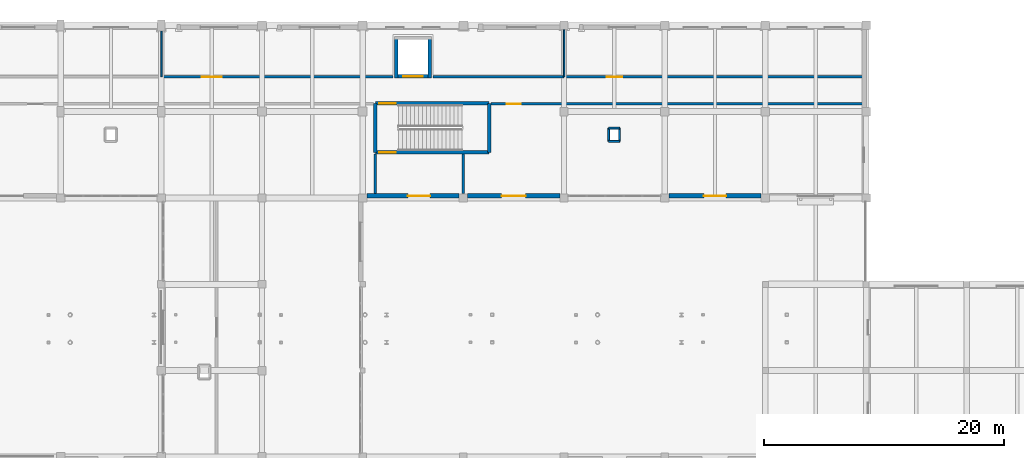
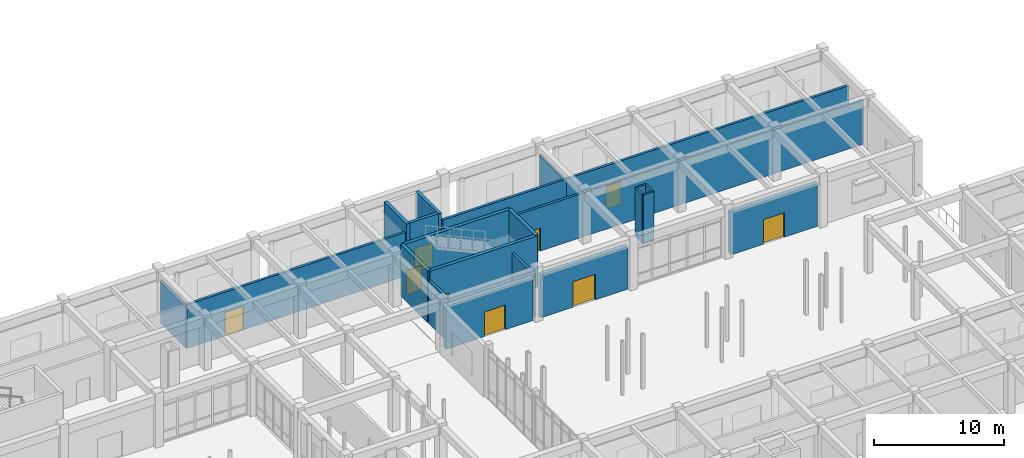
# One storey, part 85 of 121: 22 walls, 9 doors, 9 openings.
"""IFC4 building model written with IfcOpenShell, lengths in metres."""

from ifc_helpers import new_model, si_unit, direction, frame, frame_2d, origin, place, context, subcontext, project, spatial, rectangle, extrude, material, layer, layer_set, type_object, element, fill, save


model = new_model("IFC4")

# Units and contexts
model_context = context("Model", 3, precision=1e-05, world=origin(), true_north=direction((0.0, 1.0)))
body_context = subcontext(model_context, "Body", "Model", "MODEL_VIEW")
ifc_project = project(units=[si_unit("LENGTHUNIT", "METRE"), si_unit("AREAUNIT", "SQUARE_METRE"), si_unit("VOLUMEUNIT", "CUBIC_METRE"), si_unit("PLANEANGLEUNIT", "RADIAN"), si_unit("MASSUNIT", "GRAM", prefix="KILO")], contexts=[model_context])

# Site, building, storey
site_placement = place(None, origin())
site = spatial("IfcSite", under=ifc_project, at=site_placement, CompositionType="ELEMENT")
building_placement = place(site_placement, origin())
building = spatial("IfcBuilding", under=site, at=building_placement, Name="Malvenik Polytechnic", CompositionType="ELEMENT")
storey_placement = place(building_placement, origin())
storey = spatial("IfcBuildingStorey", under=building, at=storey_placement, Name="L00", CompositionType="ELEMENT", Elevation=0.0)

# Wall, opening, door
ifc_material_1 = material(Name="Concrete C35/45", Category="concrete")
ifc_layer_1 = layer(ifc_material_1, 0.280029296875)
ifc_layer_set_1 = layer_set([ifc_layer_1], Name="Concrete C35/45")
wall_type_1 = type_object("IfcWallType", Name="ARC-CW-S280", PredefinedType="SHEAR", material=ifc_layer_set_1)
wall_1_placement = place(storey_placement, frame((98.139892578125, 125.35009765625, 0.0), z_axis=(0.0, 0.0, 1.0), x_axis=(-1.0, 0.0, 0.0)))
wall_1 = element("IfcWall", 1, at=wall_1_placement, inside=storey, type_object=wall_type_1, Name="Lift Shaft Shear Wall LG-01 L00 -Y", PredefinedType="SHEAR", context=body_context, shape_type="SweptSolid", body=[
    extrude(rectangle(XDim=3.079833984375, YDim=0.280029296875, at=frame_2d((1.5400390625, 0.0))), origin(), (0.0, 0.0, 1.0), 4.820068359375),
])
opening_1_placement = place(wall_1_placement, frame((0.739990234375, 0.0, 0.0)))
opening_1 = element("IfcOpeningElement", 2, at=opening_1_placement, cuts=wall_1, Name="Opening LD-03", PredefinedType="OPENING", context=body_context, shape_type="SweptSolid", body=[
    extrude(rectangle(XDim=1.60009765625, YDim=2.199951171875, at=frame_2d((0.800048828125, 1.10009765625))), frame((0.0, 0.14990234375, 0.0), z_axis=(0.0, -1.0, 0.0), x_axis=(1.0, 0.0, 0.0)), (0.0, 0.0, 1.0), 0.300048828125),
])
ifc_material_2 = material(Name="Stainless steel fire-rated sliding lift landing door", Category="steel")
door_type_1 = type_object("IfcDoorType", Name="ARC-LDR-LD-03", OperationType="NOTDEFINED", PredefinedType="DOOR", material=ifc_material_2)
door_1_placement = place(opening_1_placement, origin())
door_1 = element("IfcDoor", 3, at=door_1_placement, inside=storey, type_object=door_type_1, Name="Lift Sliding Landing Door LG-01 L00", OperationType="DOUBLE_DOOR_SLIDING", OverallHeight=2.199951171875, OverallWidth=1.60009765625, PredefinedType="DOOR", context=body_context, shape_type="SweptSolid", body=[
    extrude(rectangle(XDim=1.60009765625, YDim=2.199951171875, at=frame_2d((0.800048828125, 1.10009765625))), frame((0.0, 0.02490234375, 0.0), z_axis=(0.0, -1.0, 0.0), x_axis=(1.0, 0.0, 0.0)), (0.0, 0.0, 1.0), 0.050048828125),
])
fill(opening_1, door_1)

# Walls
for number, where, z_axis, x_axis, name in (
    (4, (95.199951171875, 125.2099609375, 0.0), (0.0, 0.0, 1.0), (0.0, 1.0, 0.0), "Lift Shaft Shear Wall LG-01 L00 -X"),
    (5, (98.0, 128.68994140625, 0.0), (0.0, 0.0, 1.0), (0.0, -1.0, 0.0), "Lift Shaft Shear Wall LG-01 L00 +X"),
):
    element("IfcWall", number, at=place(storey_placement, frame(where, z_axis=z_axis, x_axis=x_axis)), inside=storey, type_object=wall_type_1, Name=name, PredefinedType="SHEAR", context=body_context, shape_type="SweptSolid", body=[
        extrude(rectangle(XDim=3.47998046875, YDim=0.280029296875, at=frame_2d((1.739990234375, 0.0))), origin(), (0.0, 0.0, 1.0), 4.820068359375),
    ])
ifc_layer_2 = layer(ifc_material_1, 0.300048828125)
ifc_layer_set_2 = layer_set([ifc_layer_2], Name="Concrete C35/45")
wall_type_2 = type_object("IfcWallType", Name="ARC-CW-S300", PredefinedType="SHEAR", material=ifc_layer_set_2)
wall_2_placement = place(storey_placement, frame((93.449951171875, 119.0, 0.0), z_axis=(0.0, 0.0, 1.0), x_axis=(0.0, 1.0, 0.0)))
element("IfcWall", 6, at=wall_2_placement, inside=storey, type_object=wall_type_2, Name="Stair Core Shear Wall ST-03 L00 NEAR", PredefinedType="SHEAR", context=body_context, shape_type="SweptSolid", body=[
    extrude(rectangle(XDim=4.10009765625, YDim=0.300048828125, at=frame_2d((2.050048828125, 0.0))), origin(), (0.0, 0.0, 1.0), 4.820068359375),
])

# Wall, opening, door
wall_3_placement = place(storey_placement, frame((93.449951171875, 123.10009765625, 0.0), z_axis=(0.0, 0.0, 1.0), x_axis=(1.0, 0.0, 0.0)))
wall_3 = element("IfcWall", 7, at=wall_3_placement, inside=storey, type_object=wall_type_2, Name="Stair Core Shear Wall ST-03 L00 RGHT", PredefinedType="SHEAR", context=body_context, shape_type="SweptSolid", body=[
    extrude(rectangle(XDim=9.5, YDim=0.300048828125, at=frame_2d((4.75, 0.0))), origin(), (0.0, 0.0, 1.0), 4.820068359375),
])
opening_2_placement = place(wall_3_placement, frame((0.35009765625, 0.0, 0.0)))
opening_2 = element("IfcOpeningElement", 8, at=opening_2_placement, cuts=wall_3, Name="Opening SD-01", PredefinedType="OPENING", context=body_context, shape_type="SweptSolid", body=[
    extrude(rectangle(XDim=1.35009765625, YDim=2.199951171875, at=frame_2d((0.675048828125, 1.10009765625))), frame((0.0, 0.16015625, 0.0), z_axis=(0.0, -1.0, 0.0), x_axis=(1.0, 0.0, 0.0)), (0.0, 0.0, 1.0), 0.320068359375),
])
ifc_material_3 = material(Name="Fire-rated steel stair enclosure door", Category="steel")
door_type_2 = type_object("IfcDoorType", Name="ARC-IDR-SD-01", OperationType="NOTDEFINED", PredefinedType="DOOR", material=ifc_material_3)
door_2_placement = place(opening_2_placement, origin())
door_2 = element("IfcDoor", 9, at=door_2_placement, inside=storey, type_object=door_type_2, Name="Fire Stair Door ST-03 L00", OperationType="SINGLE_SWING_LEFT", OverallHeight=2.199951171875, OverallWidth=1.35009765625, PredefinedType="DOOR", context=body_context, shape_type="SweptSolid", body=[
    extrude(rectangle(XDim=1.35009765625, YDim=2.199951171875, at=frame_2d((0.675048828125, 1.10009765625))), frame((0.0, 0.02490234375, 0.0), z_axis=(0.0, -1.0, 0.0), x_axis=(1.0, 0.0, 0.0)), (0.0, 0.0, 1.0), 0.050048828125),
])
fill(opening_2, door_2)

# Wall
wall_4_placement = place(storey_placement, frame((102.949951171875, 123.10009765625, 0.0), z_axis=(0.0, 0.0, 1.0), x_axis=(0.0, -1.0, 0.0)))
element("IfcWall", 10, at=wall_4_placement, inside=storey, type_object=wall_type_2, Name="Stair Core Shear Wall ST-03 L00 FAR", PredefinedType="SHEAR", context=body_context, shape_type="SweptSolid", body=[
    extrude(rectangle(XDim=4.10009765625, YDim=0.300048828125, at=frame_2d((2.050048828125, 0.0))), origin(), (0.0, 0.0, 1.0), 4.820068359375),
])

# Wall, opening, door
wall_5_placement = place(storey_placement, frame((102.949951171875, 119.0, 0.0), z_axis=(0.0, 0.0, 1.0), x_axis=(-1.0, 0.0, 0.0)))
wall_5 = element("IfcWall", 11, at=wall_5_placement, inside=storey, type_object=wall_type_2, Name="Stair Core Shear Wall ST-03 L00 LEFT", PredefinedType="SHEAR", context=body_context, shape_type="SweptSolid", body=[
    extrude(rectangle(XDim=9.5, YDim=0.300048828125, at=frame_2d((4.75, 0.0))), origin(), (0.0, 0.0, 1.0), 4.820068359375),
])
opening_3_placement = place(wall_5_placement, frame((7.800048828125, 0.0, 0.0)))
opening_3 = element("IfcOpeningElement", 12, at=opening_3_placement, cuts=wall_5, Name="Opening SD-01", PredefinedType="OPENING", context=body_context, shape_type="SweptSolid", body=[
    extrude(rectangle(XDim=1.35009765625, YDim=2.199951171875, at=frame_2d((0.675048828125, 1.10009765625))), frame((0.0, 0.16015625, 0.0), z_axis=(0.0, -1.0, 0.0), x_axis=(1.0, 0.0, 0.0)), (0.0, 0.0, 1.0), 0.320068359375),
])
door_3_placement = place(opening_3_placement, origin())
door_3 = element("IfcDoor", 13, at=door_3_placement, inside=storey, type_object=door_type_2, Name="Fire Stair Exit Discharge Door ST-03 L00", OperationType="SINGLE_SWING_LEFT", OverallHeight=2.199951171875, OverallWidth=1.35009765625, PredefinedType="DOOR", context=body_context, shape_type="SweptSolid", body=[
    extrude(rectangle(XDim=1.35009765625, YDim=2.199951171875, at=frame_2d((0.675048828125, 1.10009765625))), frame((0.0, 0.02490234375, 0.0), z_axis=(0.0, -1.0, 0.0), x_axis=(1.0, 0.0, 0.0)), (0.0, 0.0, 1.0), 0.050048828125),
])
fill(opening_3, door_3)

ifc_material_4 = material(Name="Concrete C30/37", Category="concrete")
ifc_layer_3 = layer(ifc_material_4, 0.3798828125)
ifc_layer_set_3 = layer_set([ifc_layer_3], Name="Concrete C30/37")
wall_type_3 = type_object("IfcWallType", Name="ARC-EW-380", PredefinedType="SOLIDWALL", material=ifc_layer_set_3)
wall_6_placement = place(storey_placement, frame((125.652099609375, 115.3701171875, 0.0), z_axis=(0.0, 0.0, 1.0), x_axis=(-1.0, 0.0, 0.0)))
wall_6 = element("IfcWall", 14, at=wall_6_placement, inside=storey, type_object=wall_type_3, Name="External Facade Wall EW-01 L00 #102", PredefinedType="SOLIDWALL", context=body_context, shape_type="SweptSolid", body=[
    extrude(rectangle(XDim=7.7041015625, YDim=0.3798828125, at=frame_2d((3.85205078125, 0.0))), origin(), (0.0, 0.0, 1.0), 4.010009765625),
])
opening_4_placement = place(wall_6_placement, frame((2.927001953125, 0.0, 0.0)))
opening_4 = element("IfcOpeningElement", 15, at=opening_4_placement, cuts=wall_6, Name="Opening ED-03", PredefinedType="OPENING", context=body_context, shape_type="SweptSolid", body=[
    extrude(rectangle(XDim=1.85009765625, YDim=2.300048828125, at=frame_2d((0.925048828125, 1.14990234375))), frame((0.0, 0.199951171875, 0.0), z_axis=(0.0, -1.0, 0.0), x_axis=(1.0, 0.0, 0.0)), (0.0, 0.0, 1.0), 0.39990234375),
])
ifc_material_5 = material(Name="Powder-coated steel emergency exit double door", Category="steel")
door_type_3 = type_object("IfcDoorType", Name="ARC-EDR-ED-03", OperationType="NOTDEFINED", PredefinedType="DOOR", material=ifc_material_5)
door_4_placement = place(opening_4_placement, origin())
door_4 = element("IfcDoor", 16, at=door_4_placement, inside=storey, type_object=door_type_3, Name="External Door ED-03 L00 #24", OperationType="DOUBLE_DOOR_SINGLE_SWING", OverallHeight=2.300048828125, OverallWidth=1.85009765625, PredefinedType="DOOR", context=body_context, shape_type="SweptSolid", body=[
    extrude(rectangle(XDim=1.85009765625, YDim=2.300048828125, at=frame_2d((0.925048828125, 1.14990234375))), frame((0.0, 0.02490234375, 0.0), z_axis=(0.0, -1.0, 0.0), x_axis=(1.0, 0.0, 0.0)), (0.0, 0.0, 1.0), 0.050048828125),
])
fill(opening_4, door_4)

wall_7_placement = place(storey_placement, frame((108.85205078125, 115.3701171875, 0.0), z_axis=(0.0, 0.0, 1.0), x_axis=(-1.0, 0.0, 0.0)))
wall_7 = element("IfcWall", 17, at=wall_7_placement, inside=storey, type_object=wall_type_3, Name="External Facade Wall EW-01 L00 #103", PredefinedType="SOLIDWALL", context=body_context, shape_type="SweptSolid", body=[
    extrude(rectangle(XDim=7.7041015625, YDim=0.3798828125, at=frame_2d((3.85205078125, 0.0))), origin(), (0.0, 0.0, 1.0), 4.010009765625),
])
opening_5_placement = place(wall_7_placement, frame((2.85205078125, 0.0, 0.0)))
opening_5 = element("IfcOpeningElement", 18, at=opening_5_placement, cuts=wall_7, Name="Opening ED-01", PredefinedType="OPENING", context=body_context, shape_type="SweptSolid", body=[
    extrude(rectangle(XDim=2.0, YDim=2.39990234375, at=frame_2d((1.0, 1.199951171875))), frame((0.0, 0.199951171875, 0.0), z_axis=(0.0, -1.0, 0.0), x_axis=(1.0, 0.0, 0.0)), (0.0, 0.0, 1.0), 0.39990234375),
])
ifc_material_6 = material(Name="Thermally broken glazed aluminium entrance door", Category="aluminium")
door_type_4 = type_object("IfcDoorType", Name="ARC-EDR-ED-01", OperationType="NOTDEFINED", PredefinedType="DOOR", material=ifc_material_6)
door_5_placement = place(opening_5_placement, origin())
door_5 = element("IfcDoor", 19, at=door_5_placement, inside=storey, type_object=door_type_4, Name="External Door ED-01 L00 #25", OperationType="DOUBLE_DOOR_SINGLE_SWING", OverallHeight=2.39990234375, OverallWidth=2.0, PredefinedType="DOOR", context=body_context, shape_type="SweptSolid", body=[
    extrude(rectangle(XDim=2.0, YDim=2.39990234375, at=frame_2d((1.0, 1.199951171875))), frame((0.0, 0.02490234375, 0.0), z_axis=(0.0, -1.0, 0.0), x_axis=(1.0, 0.0, 0.0)), (0.0, 0.0, 1.0), 0.050048828125),
])
fill(opening_5, door_5)

wall_8_placement = place(storey_placement, frame((100.451904296875, 115.3701171875, 0.0), z_axis=(0.0, 0.0, 1.0), x_axis=(-1.0, 0.0, 0.0)))
wall_8 = element("IfcWall", 20, at=wall_8_placement, inside=storey, type_object=wall_type_3, Name="External Facade Wall EW-01 L00 #104", PredefinedType="SOLIDWALL", context=body_context, shape_type="SweptSolid", body=[
    extrude(rectangle(XDim=7.703857421875, YDim=0.3798828125, at=frame_2d((3.85205078125, 0.0))), origin(), (0.0, 0.0, 1.0), 4.010009765625),
])
opening_6_placement = place(wall_8_placement, frame((2.427001953125, 0.0, 0.0)))
opening_6 = element("IfcOpeningElement", 21, at=opening_6_placement, cuts=wall_8, Name="Opening ED-03", PredefinedType="OPENING", context=body_context, shape_type="SweptSolid", body=[
    extrude(rectangle(XDim=1.85009765625, YDim=2.300048828125, at=frame_2d((0.925048828125, 1.14990234375))), frame((0.0, 0.199951171875, 0.0), z_axis=(0.0, -1.0, 0.0), x_axis=(1.0, 0.0, 0.0)), (0.0, 0.0, 1.0), 0.39990234375),
])
door_6_placement = place(opening_6_placement, origin())
door_6 = element("IfcDoor", 22, at=door_6_placement, inside=storey, type_object=door_type_3, Name="External Door ED-03 L00 #26", OperationType="DOUBLE_DOOR_SINGLE_SWING", OverallHeight=2.300048828125, OverallWidth=1.85009765625, PredefinedType="DOOR", context=body_context, shape_type="SweptSolid", body=[
    extrude(rectangle(XDim=1.85009765625, YDim=2.300048828125, at=frame_2d((0.925048828125, 1.14990234375))), frame((0.0, 0.02490234375, 0.0), z_axis=(0.0, -1.0, 0.0), x_axis=(1.0, 0.0, 0.0)), (0.0, 0.0, 1.0), 0.050048828125),
])
fill(opening_6, door_6)

ifc_material_7 = material(Name="Autoclaved aerated concrete blockwork 220mm", Category="masonry")
ifc_layer_4 = layer(ifc_material_7, 0.219970703125)
ifc_layer_set_4 = layer_set([ifc_layer_4], Name="Autoclaved aerated concrete blockwork 220mm")
wall_type_4 = type_object("IfcWallType", Name="ARC-FW-220", PredefinedType="SOLIDWALL", material=ifc_layer_set_4)
wall_9_placement = place(storey_placement, frame((75.60009765625, 125.300048828125, 0.0), z_axis=(0.0, 0.0, 1.0), x_axis=(1.0, 0.0, 0.0)))
wall_9 = element("IfcWall", 23, at=wall_9_placement, inside=storey, type_object=wall_type_4, Name="Interior Partition FW-01 L00 #53", PredefinedType="SOLIDWALL", context=body_context, shape_type="SweptSolid", body=[
    extrude(rectangle(XDim=19.329833984375, YDim=0.219970703125, at=frame_2d((9.6650390625, 0.0))), origin(), (0.0, 0.0, 1.0), 4.10498046875),
])
opening_7_placement = place(wall_9_placement, frame((3.375, 0.0, 0.0)))
opening_7 = element("IfcOpeningElement", 24, at=opening_7_placement, cuts=wall_9, Name="Opening FD-03", PredefinedType="OPENING", context=body_context, shape_type="SweptSolid", body=[
    extrude(rectangle(XDim=1.64990234375, YDim=2.199951171875, at=frame_2d((0.824951171875, 1.10009765625))), frame((0.0, 0.1201171875, 0.0), z_axis=(0.0, -1.0, 0.0), x_axis=(1.0, 0.0, 0.0)), (0.0, 0.0, 1.0), 0.239990234375),
])
ifc_material_8 = material(Name="Fire-rated double-leaf laboratory door", Category="steel")
door_type_5 = type_object("IfcDoorType", Name="ARC-IDR-FD-03", OperationType="NOTDEFINED", PredefinedType="DOOR", material=ifc_material_8)
door_7_placement = place(opening_7_placement, origin())
door_7 = element("IfcDoor", 25, at=door_7_placement, inside=storey, type_object=door_type_5, Name="Interior Door FD-03 L00 #25", OperationType="DOUBLE_DOOR_SINGLE_SWING", OverallHeight=2.199951171875, OverallWidth=1.64990234375, PredefinedType="DOOR", context=body_context, shape_type="SweptSolid", body=[
    extrude(rectangle(XDim=1.64990234375, YDim=2.199951171875, at=frame_2d((0.824951171875, 1.10009765625))), frame((0.0, 0.02490234375, 0.0), z_axis=(0.0, -1.0, 0.0), x_axis=(1.0, 0.0, 0.0)), (0.0, 0.0, 1.0), 0.050048828125),
])
fill(opening_7, door_7)

# Wall
wall_10_placement = place(storey_placement, frame((98.27001953125, 125.300048828125, 0.0), z_axis=(0.0, 0.0, 1.0), x_axis=(1.0, 0.0, 0.0)))
element("IfcWall", 26, at=wall_10_placement, inside=storey, type_object=wall_type_4, Name="Interior Partition FW-01 L00 #54", PredefinedType="SOLIDWALL", context=body_context, shape_type="SweptSolid", body=[
    extrude(rectangle(XDim=10.929931640625, YDim=0.219970703125, at=frame_2d((5.46484375, 0.0))), origin(), (0.0, 0.0, 1.0), 4.10498046875),
])

# Wall, opening, door
wall_11_placement = place(storey_placement, frame((109.199951171875, 125.300048828125, 0.0), z_axis=(0.0, 0.0, 1.0), x_axis=(1.0, 0.0, 0.0)))
wall_11 = element("IfcWall", 27, at=wall_11_placement, inside=storey, type_object=wall_type_4, Name="Interior Partition FW-01 L00 #56", PredefinedType="SOLIDWALL", context=body_context, shape_type="SweptSolid", body=[
    extrude(rectangle(XDim=24.97998046875, YDim=0.219970703125, at=frame_2d((12.489990234375, 0.0))), origin(), (0.0, 0.0, 1.0), 4.10498046875),
])
opening_8_placement = place(wall_11_placement, frame((3.550048828125, 0.0, 0.0)))
opening_8 = element("IfcOpeningElement", 28, at=opening_8_placement, cuts=wall_11, Name="Opening FD-04", PredefinedType="OPENING", context=body_context, shape_type="SweptSolid", body=[
    extrude(rectangle(XDim=1.300048828125, YDim=2.14990234375, at=frame_2d((0.64990234375, 1.074951171875))), frame((0.0, 0.1201171875, 0.0), z_axis=(0.0, -1.0, 0.0), x_axis=(1.0, 0.0, 0.0)), (0.0, 0.0, 1.0), 0.239990234375),
])
ifc_material_9 = material(Name="Fire-rated plant room steel door", Category="steel")
door_type_6 = type_object("IfcDoorType", Name="ARC-IDR-FD-04", OperationType="NOTDEFINED", PredefinedType="DOOR", material=ifc_material_9)
door_8_placement = place(opening_8_placement, origin())
door_8 = element("IfcDoor", 29, at=door_8_placement, inside=storey, type_object=door_type_6, Name="Interior Door FD-04 L00 #26", OperationType="SINGLE_SWING_RIGHT", OverallHeight=2.14990234375, OverallWidth=1.300048828125, PredefinedType="DOOR", context=body_context, shape_type="SweptSolid", body=[
    extrude(rectangle(XDim=1.300048828125, YDim=2.14990234375, at=frame_2d((0.64990234375, 1.074951171875))), frame((0.0, 0.02490234375, 0.0), z_axis=(0.0, -1.0, 0.0), x_axis=(1.0, 0.0, 0.0)), (0.0, 0.0, 1.0), 0.050048828125),
])
fill(opening_8, door_8)

# Wall
wall_12_placement = place(storey_placement, frame((100.800048828125, 115.570068359375, 0.0), z_axis=(0.0, 0.0, 1.0), x_axis=(0.0, 1.0, 0.0)))
element("IfcWall", 30, at=wall_12_placement, inside=storey, type_object=wall_type_4, Name="Interior Partition FW-01 L00 #68", PredefinedType="SOLIDWALL", context=body_context, shape_type="SweptSolid", body=[
    extrude(rectangle(XDim=3.2900390625, YDim=0.219970703125, at=frame_2d((1.64501953125, 0.0))), origin(), (0.0, 0.0, 1.0), 4.0048828125),
])

# Wall, opening, door
wall_13_placement = place(storey_placement, frame((134.179931640625, 123.050048828125, 0.0), z_axis=(0.0, 0.0, 1.0), x_axis=(-1.0, 0.0, 0.0)))
wall_13 = element("IfcWall", 31, at=wall_13_placement, inside=storey, type_object=wall_type_4, Name="Interior Partition FW-01 L00 #69", PredefinedType="SOLIDWALL", context=body_context, shape_type="SweptSolid", body=[
    extrude(rectangle(XDim=31.08984375, YDim=0.219970703125, at=frame_2d((15.544921875, 0.0))), origin(), (0.0, 0.0, 1.0), 4.10498046875),
])
opening_9_placement = place(wall_13_placement, frame((28.60498046875, 0.0, 0.0)))
opening_9 = element("IfcOpeningElement", 32, at=opening_9_placement, cuts=wall_13, Name="Opening FD-01", PredefinedType="OPENING", context=body_context, shape_type="SweptSolid", body=[
    extrude(rectangle(XDim=1.14990234375, YDim=2.14990234375, at=frame_2d((0.574951171875, 1.074951171875))), frame((0.0, 0.1201171875, 0.0), z_axis=(0.0, -1.0, 0.0), x_axis=(1.0, 0.0, 0.0)), (0.0, 0.0, 1.0), 0.239990234375),
])
ifc_material_10 = material(Name="Fire-rated timber acoustic corridor door", Category="wood")
door_type_7 = type_object("IfcDoorType", Name="ARC-IDR-FD-01", OperationType="NOTDEFINED", PredefinedType="DOOR", material=ifc_material_10)
door_9_placement = place(opening_9_placement, origin())
door_9 = element("IfcDoor", 33, at=door_9_placement, inside=storey, type_object=door_type_7, Name="Interior Door FD-01 L00 #32", OperationType="SINGLE_SWING_LEFT", OverallHeight=2.14990234375, OverallWidth=1.14990234375, PredefinedType="DOOR", context=body_context, shape_type="SweptSolid", body=[
    extrude(rectangle(XDim=1.14990234375, YDim=2.14990234375, at=frame_2d((0.574951171875, 1.074951171875))), frame((0.0, 0.02490234375, 0.0), z_axis=(0.0, -1.0, 0.0), x_axis=(1.0, 0.0, 0.0)), (0.0, 0.0, 1.0), 0.050048828125),
])
fill(opening_9, door_9)

# Walls
wall_14_placement = place(storey_placement, frame((93.449951171875, 115.56005859375, 0.0), z_axis=(0.0, 0.0, 1.0), x_axis=(0.0, 1.0, 0.0)))
element("IfcWall", 34, at=wall_14_placement, inside=storey, type_object=wall_type_4, Name="Exit Passage Fire Wall FW-01 L00 #3", PredefinedType="SOLIDWALL", context=body_context, shape_type="SweptSolid", body=[
    extrude(rectangle(XDim=3.2900390625, YDim=0.219970703125, at=frame_2d((1.64501953125, 0.0))), origin(), (0.0, 0.0, 1.0), 4.0048828125),
])
ifc_material_11 = material(Name="Metal-stud gypsum board partition 125mm", Category="gypsum")
ifc_layer_5 = layer(ifc_material_11, 0.125)
ifc_layer_set_5 = layer_set([ifc_layer_5], Name="Metal-stud gypsum board partition 125mm")
wall_type_5 = type_object("IfcWallType", Name="ARC-PW-125", PredefinedType="PARTITIONING", material=ifc_layer_set_5)
wall_15_placement = place(storey_placement, frame((75.60009765625, 125.300048828125, 0.0), z_axis=(0.0, 0.0, 1.0), x_axis=(0.0, 1.0, 0.0)))
element("IfcWall", 35, at=wall_15_placement, inside=storey, type_object=wall_type_5, Name="Interior Partition PW-03I L00 #52", PredefinedType="PARTITIONING", context=body_context, shape_type="SweptSolid", body=[
    extrude(rectangle(XDim=3.829833984375, YDim=0.125, at=frame_2d((1.9150390625, 0.0))), origin(), (0.0, 0.0, 1.0), 4.10498046875),
])
wall_16_placement = place(storey_placement, frame((109.199951171875, 125.300048828125, 0.0), z_axis=(0.0, 0.0, 1.0), x_axis=(0.0, 1.0, 0.0)))
element("IfcWall", 36, at=wall_16_placement, inside=storey, type_object=wall_type_5, Name="Interior Partition PW-03I L00 #55", PredefinedType="PARTITIONING", context=body_context, shape_type="SweptSolid", body=[
    extrude(rectangle(XDim=3.929931640625, YDim=0.125, at=frame_2d((1.96484375, 0.0))), origin(), (0.0, 0.0, 1.0), 4.0048828125),
])
ifc_material_12 = material(Name="Double-stud acoustic gypsum board partition 160mm", Category="gypsum")
ifc_layer_6 = layer(ifc_material_12, 0.159912109375)
ifc_layer_set_6 = layer_set([ifc_layer_6], Name="Double-stud acoustic gypsum board partition 160mm")
wall_type_6 = type_object("IfcWallType", Name="ARC-PW-160", PredefinedType="PARTITIONING", material=ifc_layer_set_6)
for number, where, z_axis, x_axis, name in (
    (37, (112.919921875, 119.919921875, 0.0), (0.0, 0.0, 1.0), (1.0, 0.0, 0.0), "Riser Shaft Enclosure L00 #3S"),
    (38, (113.830078125, 121.030029296875, 0.0), (0.0, 0.0, 1.0), (-1.0, 0.0, 0.0), "Riser Shaft Enclosure L00 #3N"),
):
    element("IfcWall", number, at=place(storey_placement, frame(where, z_axis=z_axis, x_axis=x_axis)), inside=storey, type_object=wall_type_6, Name=name, PredefinedType="PARTITIONING", context=body_context, shape_type="SweptSolid", body=[
        extrude(rectangle(XDim=0.91015625, YDim=0.159912109375, at=frame_2d((0.455078125, 0.0))), origin(), (0.0, 0.0, 1.0), 4.550048828125),
    ])
for number, where, z_axis, x_axis, name in (
    (39, (112.919921875, 121.030029296875, 0.0), (0.0, 0.0, 1.0), (0.0, -1.0, 0.0), "Riser Shaft Enclosure L00 #3W"),
    (40, (113.830078125, 119.919921875, 0.0), (0.0, 0.0, 1.0), (0.0, 1.0, 0.0), "Riser Shaft Enclosure L00 #3E"),
):
    element("IfcWall", number, at=place(storey_placement, frame(where, z_axis=z_axis, x_axis=x_axis)), inside=storey, type_object=wall_type_6, Name=name, PredefinedType="PARTITIONING", context=body_context, shape_type="SweptSolid", body=[
        extrude(rectangle(XDim=1.110107421875, YDim=0.159912109375, at=frame_2d((0.55517578125, 0.0))), origin(), (0.0, 0.0, 1.0), 4.550048828125),
    ])

save(model, "model.ifc")
